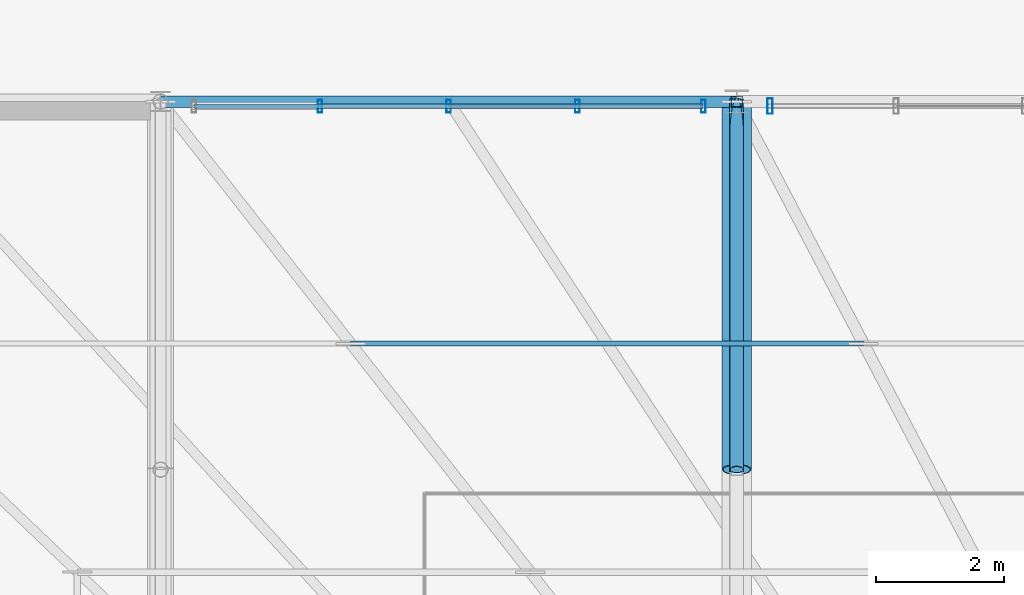
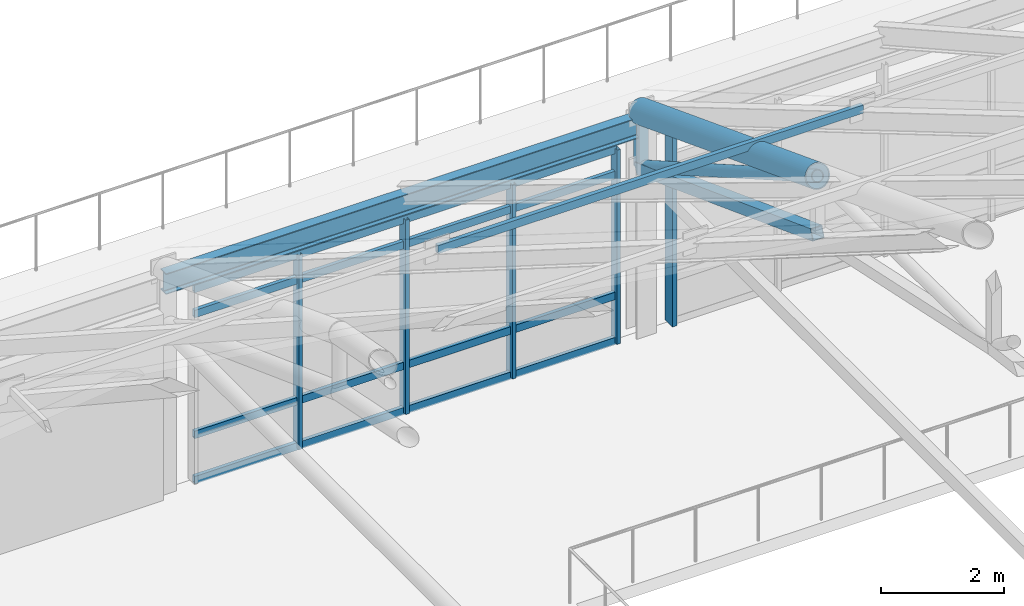
# One storey, part 56 of 168: 13 members, 2 beams, 2 elements without a shape of their own.
"""IFC4 building model written with IfcOpenShell, lengths in metres."""

from ifc_helpers import new_model, si_unit, direction, frame, origin, origin_2d, place, context, subcontext, project, spatial, hollow_rectangle, hollow_circle, i_section, extrude, material, material_profile, profile_set, type_object, element, aggregate, save


model = new_model("IFC4")

# Units and contexts
model_context = context("Model", 3, precision=1e-05, world=origin(), true_north=direction((0.0, 1.0)))
body_context = subcontext(model_context, "Body", "Model", "MODEL_VIEW")
ifc_project = project(units=[si_unit("LENGTHUNIT", "METRE"), si_unit("AREAUNIT", "SQUARE_METRE"), si_unit("VOLUMEUNIT", "CUBIC_METRE"), si_unit("PLANEANGLEUNIT", "RADIAN"), si_unit("MASSUNIT", "GRAM", prefix="KILO"), si_unit("THERMODYNAMICTEMPERATUREUNIT", "KELVIN"), si_unit("POWERUNIT", "WATT")], contexts=[model_context])

# Site, building, storey
site_placement = place(None, origin())
site = spatial("IfcSite", under=ifc_project, at=site_placement, CompositionType="ELEMENT")
building_placement = place(site_placement, origin())
building = spatial("IfcBuilding", under=site, at=building_placement, Name="Tepalcoro Natatorium and Aquatics Centre", CompositionType="ELEMENT")
storey_placement = place(building_placement, frame((0.0, 0.0, 10.199951171875)))
storey = spatial("IfcBuildingStorey", under=building, at=storey_placement, Name="L02", CompositionType="ELEMENT", Elevation=10.199951171875)

# Beam
ifc_material_1 = material(Name="Terracotta Painted Hollow Steel ASTM A500 Grade C (Fy 345 MPa)", Category="masonry")
ifc_material_profile_1 = material_profile(ifc_material_1, hollow_circle(Radius=0.228515625, WallThickness=0.02001953125, at=origin_2d()), Name="CHS457X20")
ifc_profile_set_1 = profile_set([ifc_material_profile_1], Name="Terracotta Painted Hollow Steel ASTM A500 Grade C (Fy 345 MPa)")
beam_type_1 = type_object("IfcBeamType", Name="AC_CHS457x20", PredefinedType="USERDEFINED", material=ifc_profile_set_1)
beam_1_placement = place(storey_placement, frame((71.0, 53.25, 6.567626953125), z_axis=(0.0, 0.934186419385, -0.356785276935), x_axis=(-1.0, 0.0, 0.0)))
element("IfcBeam", 1, at=beam_1_placement, inside=storey, type_object=beam_type_1, Name="V1 Arched Truss Top Chord 3", ObjectType="ARCH CHORD", PredefinedType="USERDEFINED", context=body_context, shape_type="SweptSolid", body=[
    extrude(hollow_circle(Radius=0.228515625, WallThickness=0.02001953125, at=origin_2d()), origin(), (0.0, 0.0, 1.0), 6.155029296875),
])

# Curtain wall, members
ifc_material_2 = material(Name="Bronze-Anodised Extruded Aluminium Alloy EN AW-6063 T6", Category="aluminium")
curtain_wall_type_1 = type_object("IfcCurtainWallType", Name="CW_LEAN_T1_EW", PredefinedType="USERDEFINED", material=ifc_material_2)
curtain_wall_1_placement = place(storey_placement, origin())
curtain_wall_1 = element("IfcCurtainWall", 2, at=curtain_wall_1_placement, inside=storey, type_object=curtain_wall_type_1, Name="V1 L02 N Unitised Curtain Wall Bay 2", ObjectType="FACETED SOLAR GLAZING", PredefinedType="USERDEFINED")
ifc_material_profile_2 = material_profile(ifc_material_2, hollow_rectangle(XDim=0.070068359375, YDim=0.199951171875, WallThickness=0.0048828125, at=origin_2d()), Name="AL70X200X5")
ifc_profile_set_2 = profile_set([ifc_material_profile_2], Name="Bronze-Anodised Extruded Aluminium Alloy EN AW-6063 T6")
member_type_1 = type_object("IfcMemberType", Name="CW_MUL_70x200", PredefinedType="MULLION", material=ifc_profile_set_2)
member_1_placement = place(storey_placement, frame((64.489990234375, 58.9287109375, 0.02001953125), z_axis=(0.0, 0.0, 1.0), x_axis=(1.0, 0.0, 0.0)))
member_1 = element("IfcMember", 3, at=member_1_placement, type_object=member_type_1, Name="CW_LEAN_T1_EW Curtain Wall Mullion", PredefinedType="MULLION", context=body_context, shape_type="SweptSolid", body=[
    extrude(hollow_rectangle(XDim=0.070068359375, YDim=0.199951171875, WallThickness=0.0048828125, at=origin_2d()), origin(), (0.0, 0.0, 1.0), 3.866943359375),
])
member_2_placement = place(storey_placement, frame((66.5, 58.9287109375, 0.02001953125), z_axis=(0.0, 0.0, 1.0), x_axis=(1.0, 0.0, 0.0)))
member_2 = element("IfcMember", 4, at=member_2_placement, type_object=member_type_1, Name="CW_LEAN_T1_EW Curtain Wall Mullion", PredefinedType="MULLION", context=body_context, shape_type="SweptSolid", body=[
    extrude(hollow_rectangle(XDim=0.070068359375, YDim=0.199951171875, WallThickness=0.0048828125, at=origin_2d()), origin(), (0.0, 0.0, 1.0), 3.866943359375),
])
member_3_placement = place(storey_placement, frame((68.510009765625, 58.9287109375, 0.02001953125), z_axis=(0.0, 0.0, 1.0), x_axis=(1.0, 0.0, 0.0)))
member_3 = element("IfcMember", 5, at=member_3_placement, type_object=member_type_1, Name="CW_LEAN_T1_EW Curtain Wall Mullion", PredefinedType="MULLION", context=body_context, shape_type="SweptSolid", body=[
    extrude(hollow_rectangle(XDim=0.070068359375, YDim=0.199951171875, WallThickness=0.0048828125, at=origin_2d()), origin(), (0.0, 0.0, 1.0), 3.866943359375),
])
member_4_placement = place(storey_placement, frame((70.47998046875, 58.9287109375, 0.02001953125), z_axis=(0.0, 0.0, 1.0), x_axis=(1.0, 0.0, 0.0)))
member_4 = element("IfcMember", 6, at=member_4_placement, type_object=member_type_1, Name="CW_LEAN_T1_EW Curtain Wall Mullion", PredefinedType="MULLION", context=body_context, shape_type="SweptSolid", body=[
    extrude(hollow_rectangle(XDim=0.070068359375, YDim=0.199951171875, WallThickness=0.0048828125, at=origin_2d()), origin(), (0.0, 0.0, 1.0), 3.866943359375),
])

# Curtain wall, member
curtain_wall_type_2 = type_object("IfcCurtainWallType", Name="CW_LEAN_T2_NS", PredefinedType="USERDEFINED", material=ifc_material_2)
curtain_wall_2_placement = place(storey_placement, origin())
curtain_wall_2 = element("IfcCurtainWall", 7, at=curtain_wall_2_placement, inside=storey, type_object=curtain_wall_type_2, Name="V1 L02 N Unitised Curtain Wall Bay 3", ObjectType="FACETED SOLAR GLAZING", PredefinedType="USERDEFINED")
ifc_material_profile_3 = material_profile(ifc_material_2, hollow_rectangle(XDim=0.080078125, YDim=0.239990234375, WallThickness=0.0048828125, at=origin_2d()), Name="AL80X240X5")
ifc_profile_set_3 = profile_set([ifc_material_profile_3], Name="Bronze-Anodised Extruded Aluminium Alloy EN AW-6063 T6")
member_type_2 = type_object("IfcMemberType", Name="CW_MUL_80x240", PredefinedType="MULLION", material=ifc_profile_set_3)
member_5_placement = place(storey_placement, frame((71.52001953125, 58.9287109375, 0.02001953125), z_axis=(0.0, 0.0, 1.0), x_axis=(1.0, 0.0, 0.0)))
member_5 = element("IfcMember", 8, at=member_5_placement, type_object=member_type_2, Name="CW_LEAN_T2_NS Curtain Wall Mullion", PredefinedType="MULLION", context=body_context, shape_type="SweptSolid", body=[
    extrude(hollow_rectangle(XDim=0.080078125, YDim=0.239990234375, WallThickness=0.0048828125, at=origin_2d()), origin(), (0.0, 0.0, 1.0), 3.820068359375),
])
aggregate(curtain_wall_2, [member_5])

# Member
ifc_material_profile_4 = material_profile(ifc_material_2, hollow_rectangle(XDim=0.070068359375, YDim=0.14990234375, WallThickness=0.00390625, at=origin_2d()), Name="AL70X150X4")
ifc_profile_set_4 = profile_set([ifc_material_profile_4], Name="Bronze-Anodised Extruded Aluminium Alloy EN AW-6063 T6")
member_type_3 = type_object("IfcMemberType", Name="CW_TRN_70x150", PredefinedType="USERDEFINED", material=ifc_profile_set_4)
member_6_placement = place(storey_placement, frame((62.530029296875, 58.9287109375, 0.050048828125), z_axis=(1.0, 0.0, 0.0), x_axis=(0.0, 1.0, 0.0)))
member_6 = element("IfcMember", 9, at=member_6_placement, type_object=member_type_3, Name="CW_LEAN_T1_EW Curtain Wall Transom", ObjectType="TRANSOM", PredefinedType="USERDEFINED", context=body_context, shape_type="SweptSolid", body=[
    extrude(hollow_rectangle(XDim=0.070068359375, YDim=0.14990234375, WallThickness=0.00390625, at=origin_2d()), origin(), (0.0, 0.0, 1.0), 7.93994140625),
])

member_7_placement = place(storey_placement, frame((62.530029296875, 58.9287109375, 0.949951171875), z_axis=(1.0, 0.0, 0.0), x_axis=(0.0, 1.0, 0.0)))
member_7 = element("IfcMember", 10, at=member_7_placement, type_object=member_type_3, Name="CW_LEAN_T1_EW Curtain Wall Transom", ObjectType="TRANSOM", PredefinedType="USERDEFINED", context=body_context, shape_type="SweptSolid", body=[
    extrude(hollow_rectangle(XDim=0.070068359375, YDim=0.14990234375, WallThickness=0.00390625, at=origin_2d()), origin(), (0.0, 0.0, 1.0), 7.93994140625),
])

member_8_placement = place(storey_placement, frame((62.530029296875, 58.9287109375, 3.35693359375), z_axis=(1.0, 0.0, 0.0), x_axis=(0.0, 1.0, 0.0)))
member_8 = element("IfcMember", 11, at=member_8_placement, type_object=member_type_3, Name="CW_LEAN_T1_EW Curtain Wall Transom", ObjectType="TRANSOM", PredefinedType="USERDEFINED", context=body_context, shape_type="SweptSolid", body=[
    extrude(hollow_rectangle(XDim=0.070068359375, YDim=0.14990234375, WallThickness=0.00390625, at=origin_2d()), origin(), (0.0, 0.0, 1.0), 7.93994140625),
])

member_9_placement = place(storey_placement, frame((62.530029296875, 58.9287109375, 3.85693359375), z_axis=(1.0, 0.0, 0.0), x_axis=(0.0, 1.0, 0.0)))
member_9 = element("IfcMember", 12, at=member_9_placement, type_object=member_type_3, Name="CW_LEAN_T1_EW Curtain Wall Transom", ObjectType="TRANSOM", PredefinedType="USERDEFINED", context=body_context, shape_type="SweptSolid", body=[
    extrude(hollow_rectangle(XDim=0.070068359375, YDim=0.14990234375, WallThickness=0.00390625, at=origin_2d()), origin(), (0.0, 0.0, 1.0), 7.93994140625),
])

aggregate(curtain_wall_1, [member_1, member_2, member_3, member_4, member_6, member_7, member_8, member_9])

# Members
ifc_material_profile_5 = material_profile(ifc_material_1, hollow_rectangle(XDim=0.219970703125, YDim=0.219970703125, WallThickness=0.011962890625, at=origin_2d()), Name="HSS220X220X12")
ifc_profile_set_5 = profile_set([ifc_material_profile_5], Name="Terracotta Painted Hollow Steel ASTM A500 Grade C (Fy 345 MPa)")
member_type_4 = type_object("IfcMemberType", Name="MB_CH_HSS220x220x12", PredefinedType="CHORD", material=ifc_profile_set_5)
member_10_placement = place(storey_placement, frame((71.0, 53.25, 5.42822265625), z_axis=(0.0, 0.936303034888, -0.351193147512), x_axis=(-1.0, 0.0, 0.0)))
element("IfcMember", 13, at=member_10_placement, inside=storey, type_object=member_type_4, Name="V1 Arched Truss Bottom Chord 3", PredefinedType="CHORD", context=body_context, shape_type="SweptSolid", body=[
    extrude(hollow_rectangle(XDim=0.219970703125, YDim=0.219970703125, WallThickness=0.011962890625, at=origin_2d()), origin(), (0.0, 0.0, 1.0), 6.14111328125),
])
ifc_material_3 = material(Name="Hollow Steel ASTM A500 Grade C (Fy 345 MPa)", Category="steel")
ifc_material_profile_6 = material_profile(ifc_material_3, hollow_rectangle(XDim=0.080078125, YDim=0.159912109375, WallThickness=0.008056640625, at=origin_2d()), Name="HSS160X80X8")
ifc_profile_set_6 = profile_set([ifc_material_profile_6], Name="Hollow Steel ASTM A500 Grade C (Fy 345 MPa)")
member_type_5 = type_object("IfcMemberType", Name="MB_PR_HSS160x80x8", PredefinedType="PURLIN", material=ifc_profile_set_6)
member_11_placement = place(storey_placement, frame((64.969970703125, 55.219970703125, 6.03662109375), z_axis=(1.0, 0.0, 0.0), x_axis=(0.0, 1.0, 0.0)))
element("IfcMember", 14, at=member_11_placement, inside=storey, type_object=member_type_5, Name="Pyramid Horizontal Purlin North", PredefinedType="PURLIN", context=body_context, shape_type="SweptSolid", body=[
    extrude(hollow_rectangle(XDim=0.080078125, YDim=0.159912109375, WallThickness=0.008056640625, at=origin_2d()), origin(), (0.0, 0.0, 1.0), 8.010009765625),
])
ifc_material_profile_7 = material_profile(ifc_material_1, hollow_rectangle(XDim=0.179931640625, YDim=0.179931640625, WallThickness=0.010009765625, at=origin_2d()), Name="HSS180X180X10")
ifc_profile_set_7 = profile_set([ifc_material_profile_7], Name="Terracotta Painted Hollow Steel ASTM A500 Grade C (Fy 345 MPa)")
member_type_6 = type_object("IfcMemberType", Name="MB_PS_HSS180x180x10", PredefinedType="POST", material=ifc_profile_set_7)
member_12_placement = place(storey_placement, frame((71.0, 59.0, 3.271484375), z_axis=(0.0, 0.0, 1.0), x_axis=(1.0, 0.0, 0.0)))
element("IfcMember", 15, at=member_12_placement, inside=storey, type_object=member_type_6, Name="V1 Arched Truss Vertical Post 3", PredefinedType="POST", context=body_context, shape_type="SweptSolid", body=[
    extrude(hollow_rectangle(XDim=0.179931640625, YDim=0.179931640625, WallThickness=0.010009765625, at=origin_2d()), origin(), (0.0, 0.0, 1.0), 1.10009765625),
])
ifc_material_profile_8 = material_profile(ifc_material_1, hollow_circle(Radius=0.109619140625, WallThickness=0.013916015625, at=origin_2d()), Name="CHS219X14")
ifc_profile_set_8 = profile_set([ifc_material_profile_8], Name="Terracotta Painted Hollow Steel ASTM A500 Grade C (Fy 345 MPa)")
member_type_7 = type_object("IfcMemberType", Name="MB_ST_CHS219x14", PredefinedType="STRUT", material=ifc_profile_set_8)
member_13_placement = place(storey_placement, frame((71.0, 53.25, 6.567626953125), z_axis=(0.0, 0.867564547129, -0.497324598794), x_axis=(-1.0, 0.0, 0.0)))
element("IfcMember", 16, at=member_13_placement, inside=storey, type_object=member_type_7, Name="V1 Arched Truss Web Diagonal 3", PredefinedType="STRUT", context=body_context, shape_type="SweptSolid", body=[
    extrude(hollow_circle(Radius=0.109619140625, WallThickness=0.013916015625, at=origin_2d()), origin(), (0.0, 0.0, 1.0), 6.627685546875),
])

# Beam
ifc_material_4 = material(Name="Steel ASTM A992 Grade 50 (Fy 345 MPa)", Category="steel")
ifc_material_profile_9 = material_profile(ifc_material_4, i_section(OverallWidth=0.179931640625, OverallDepth=0.4130859375, WebThickness=0.010009765625, FlangeThickness=0.01611328125, FilletRadius=0.013916015625, at=origin_2d()), Name="W16X50")
ifc_profile_set_9 = profile_set([ifc_material_profile_9], Name="Steel ASTM A992 Grade 50 (Fy 345 MPa)")
beam_type_2 = type_object("IfcBeamType", Name="SP_HSS300x200x12", PredefinedType="SPANDREL", material=ifc_profile_set_9)
beam_2_placement = place(storey_placement, frame((62.0, 59.0, 4.128662109375), z_axis=(1.0, 0.0, 0.0), x_axis=(0.0, 1.0, 0.0)))
element("IfcBeam", 17, at=beam_2_placement, inside=storey, type_object=beam_type_2, Name="V1 L02 Grid Girder X", PredefinedType="SPANDREL", context=body_context, shape_type="SweptSolid", body=[
    extrude(i_section(OverallWidth=0.179931640625, OverallDepth=0.4130859375, WebThickness=0.010009765625, FlangeThickness=0.01611328125, FilletRadius=0.013916015625, at=origin_2d()), origin(), (0.0, 0.0, 1.0), 9.0),
])

save(model, "model.ifc")
